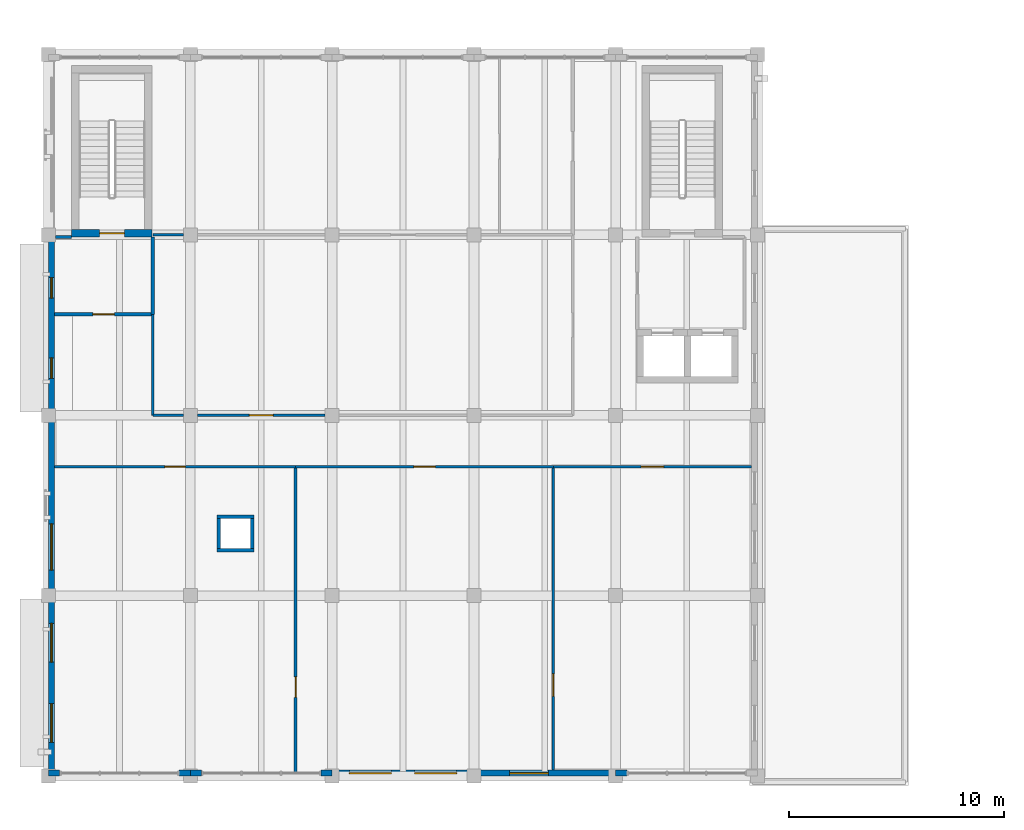
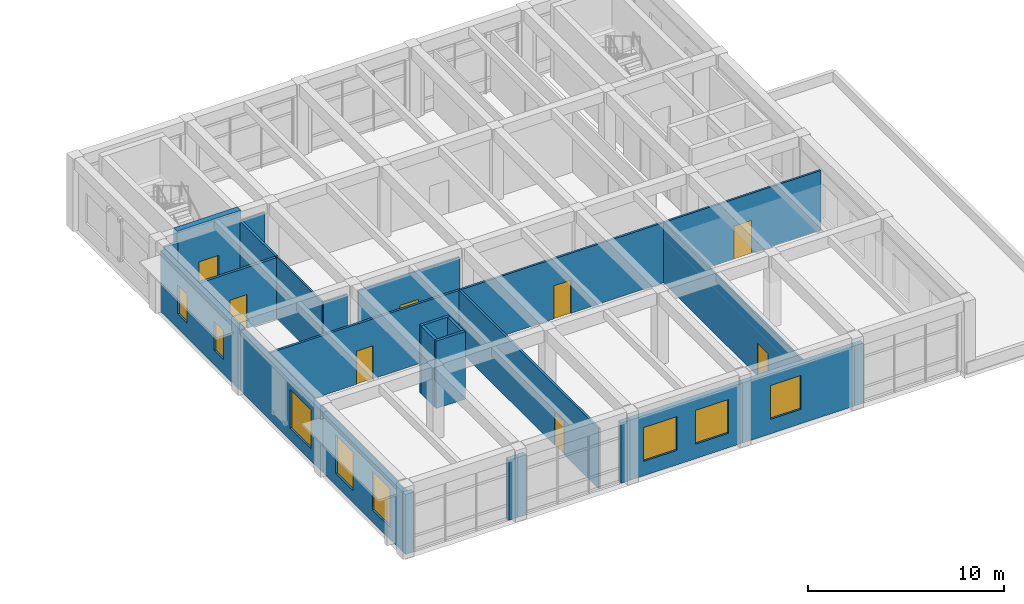
# One storey, part 26 of 50: 27 walls, 8 doors, 8 windows, 16 openings.
"""IFC4 building model written with IfcOpenShell, lengths in metres."""

from ifc_helpers import new_model, si_unit, direction, frame, frame_2d, origin, place, context, subcontext, project, spatial, rectangle, extrude, material, layer, layer_set, type_object, element, fill, save


model = new_model("IFC4")

# Units and contexts
model_context = context("Model", 3, precision=1e-05, world=origin(), true_north=direction((0.0, 1.0)))
body_context = subcontext(model_context, "Body", "Model", "MODEL_VIEW")
ifc_project = project(units=[si_unit("LENGTHUNIT", "METRE"), si_unit("AREAUNIT", "SQUARE_METRE"), si_unit("VOLUMEUNIT", "CUBIC_METRE"), si_unit("PLANEANGLEUNIT", "RADIAN"), si_unit("MASSUNIT", "GRAM", prefix="KILO")], contexts=[model_context])

# Site, building, storey
site_placement = place(None, origin())
site = spatial("IfcSite", under=ifc_project, at=site_placement, CompositionType="ELEMENT")
building_placement = place(site_placement, origin())
building = spatial("IfcBuilding", under=site, at=building_placement, Name="Kolvaren Faculty of Natural Sciences", CompositionType="ELEMENT")
storey_placement = place(building_placement, frame((0.0, 0.0, 15.0)))
storey = spatial("IfcBuildingStorey", under=building, at=storey_placement, Name="L03", CompositionType="ELEMENT", Elevation=15.0)

# Wall, opening, door
ifc_material_1 = material(Name="Concrete C40/50", Category="concrete")
ifc_layer_1 = layer(ifc_material_1, 0.35009765625)
ifc_layer_set_1 = layer_set([ifc_layer_1], Name="Concrete C40/50")
wall_type_1 = type_object("IfcWallType", Name="CoreShearWall_350", PredefinedType="SHEAR", material=ifc_layer_set_1)
wall_1_placement = place(storey_placement, frame((7.875, 33.875, 0.0), z_axis=(0.0, 0.0, 1.0), x_axis=(1.0, 0.0, 0.0)))
wall_1 = element("IfcWall", 1, at=wall_1_placement, inside=storey, type_object=wall_type_1, Name="L03 CORE-C8 stair shear wall S", PredefinedType="SHEAR", context=body_context, shape_type="SweptSolid", body=[
    extrude(rectangle(XDim=3.75, YDim=0.35009765625, at=frame_2d((1.875, 0.0))), origin(), (0.0, 0.0, 1.0), 4.5),
])
opening_1_placement = place(wall_1_placement, frame((1.300048828125, 0.0, 0.0)))
opening_1 = element("IfcOpeningElement", 2, at=opening_1_placement, cuts=wall_1, Name="Opening FD90", PredefinedType="OPENING", context=body_context, shape_type="SweptSolid", body=[
    extrude(rectangle(XDim=1.14990234375, YDim=2.14990234375, at=frame_2d((0.574951171875, 1.074951171875))), frame((0.0, 0.18505859375, 0.0), z_axis=(0.0, -1.0, 0.0), x_axis=(1.0, 0.0, 0.0)), (0.0, 0.0, 1.0), 0.3701171875),
])
ifc_material_2 = material(Name="Fire-rated solid-core hardwood door leaf in steel frame", Category="steel")
door_type_1 = type_object("IfcDoorType", Name="StairCoreFireDoor_1150x2150", OperationType="NOTDEFINED", PredefinedType="DOOR", material=ifc_material_2)
door_1_placement = place(opening_1_placement, origin())
door_1 = element("IfcDoor", 3, at=door_1_placement, inside=storey, type_object=door_type_1, Name="D-ST-ST-8-L03", OperationType="SINGLE_SWING_RIGHT", OverallHeight=2.14990234375, OverallWidth=1.14990234375, PredefinedType="DOOR", context=body_context, shape_type="SweptSolid", body=[
    extrude(rectangle(XDim=1.14990234375, YDim=2.14990234375, at=frame_2d((0.574951171875, 1.074951171875))), frame((0.0, 0.02490234375, 0.0), z_axis=(0.0, -1.0, 0.0), x_axis=(1.0, 0.0, 0.0)), (0.0, 0.0, 1.0), 0.050048828125),
])
fill(opening_1, door_1)

# Wall, openings, windows
ifc_material_3 = material(Name="Precast concrete C35/45", Category="concrete")
ifc_layer_2 = layer(ifc_material_3, 0.280029296875)
ifc_layer_set_2 = layer_set([ifc_layer_2], Name="Precast concrete C35/45")
wall_type_2 = type_object("IfcWallType", Name="ExteriorPrecastWall_280", PredefinedType="STANDARD", material=ifc_layer_set_2)
wall_2_placement = place(storey_placement, frame((6.93994140625, 8.8798828125, 0.0), z_axis=(0.0, 0.0, 1.0), x_axis=(0.0, 1.0, 0.0)))
wall_2 = element("IfcWall", 4, at=wall_2_placement, inside=storey, type_object=wall_type_2, Name="L03 exterior masonry wall EW-280 (472)", PredefinedType="STANDARD", context=body_context, shape_type="SweptSolid", body=[
    extrude(rectangle(XDim=8.1201171875, YDim=0.280029296875, at=frame_2d((4.06005859375, 0.0))), origin(), (0.0, 0.0, 1.0), 3.735107421875),
])
opening_2_placement = place(wall_2_placement, frame((1.29248046875, 0.0, 0.75)))
opening_2 = element("IfcOpeningElement", 5, at=opening_2_placement, cuts=wall_2, Name="Opening WIN-21", PredefinedType="OPENING", context=body_context, shape_type="SweptSolid", body=[
    extrude(rectangle(XDim=1.800048828125, YDim=2.39990234375, at=frame_2d((0.89990234375, 1.199951171875))), frame((0.0, 0.14990234375, 0.0), z_axis=(0.0, -1.0, 0.0), x_axis=(1.0, 0.0, 0.0)), (0.0, 0.0, 1.0), 0.300048828125),
])
opening_3_placement = place(wall_2_placement, frame((5.027587890625, 0.0, 0.75)))
opening_3 = element("IfcOpeningElement", 6, at=opening_3_placement, cuts=wall_2, Name="Opening WIN-21", PredefinedType="OPENING", context=body_context, shape_type="SweptSolid", body=[
    extrude(rectangle(XDim=1.800048828125, YDim=2.39990234375, at=frame_2d((0.89990234375, 1.199951171875))), frame((0.0, 0.14990234375, 0.0), z_axis=(0.0, -1.0, 0.0), x_axis=(1.0, 0.0, 0.0)), (0.0, 0.0, 1.0), 0.300048828125),
])
ifc_material_4 = material(Name="Double low-E solar control insulated glazing", Category="glass")
window_type_1 = type_object("IfcWindowType", Name="AluWindow_WIN21_1800x2400", PartitioningType="SINGLE_PANEL", PredefinedType="WINDOW", material=ifc_material_4)
window_1_placement = place(opening_2_placement, origin())
window_1 = element("IfcWindow", 7, at=window_1_placement, inside=storey, type_object=window_type_1, Name="WIN-L03-0300", OverallHeight=2.39990234375, OverallWidth=1.800048828125, PartitioningType="SINGLE_PANEL", PredefinedType="WINDOW", context=body_context, shape_type="SweptSolid", body=[
    extrude(rectangle(XDim=1.800048828125, YDim=2.39990234375, at=frame_2d((0.89990234375, 1.199951171875))), frame((0.0, 0.030029296875, 0.0), z_axis=(0.0, -1.0, 0.0), x_axis=(1.0, 0.0, 0.0)), (0.0, 0.0, 1.0), 0.06005859375),
])
fill(opening_2, window_1)
window_2_placement = place(opening_3_placement, origin())
window_2 = element("IfcWindow", 8, at=window_2_placement, inside=storey, type_object=window_type_1, Name="WIN-L03-0301", OverallHeight=2.39990234375, OverallWidth=1.800048828125, PartitioningType="SINGLE_PANEL", PredefinedType="WINDOW", context=body_context, shape_type="SweptSolid", body=[
    extrude(rectangle(XDim=1.800048828125, YDim=2.39990234375, at=frame_2d((0.89990234375, 1.199951171875))), frame((0.0, 0.030029296875, 0.0), z_axis=(0.0, -1.0, 0.0), x_axis=(1.0, 0.0, 0.0)), (0.0, 0.0, 1.0), 0.06005859375),
])
fill(opening_3, window_2)

# Wall, opening, window
wall_3_placement = place(storey_placement, frame((6.93994140625, 17.0, 0.0), z_axis=(0.0, 0.0, 1.0), x_axis=(0.0, 1.0, 0.0)))
wall_3 = element("IfcWall", 9, at=wall_3_placement, inside=storey, type_object=wall_type_2, Name="L03 exterior masonry wall EW-280 (473)", PredefinedType="STANDARD", context=body_context, shape_type="SweptSolid", body=[
    extrude(rectangle(XDim=8.39990234375, YDim=0.280029296875, at=frame_2d((4.199951171875, 0.0))), origin(), (0.0, 0.0, 1.0), 3.735107421875),
])
opening_4_placement = place(wall_3_placement, frame((1.193115234375, 0.0, 0.75)))
opening_4 = element("IfcOpeningElement", 10, at=opening_4_placement, cuts=wall_3, Name="Opening WIN-22", PredefinedType="OPENING", context=body_context, shape_type="SweptSolid", body=[
    extrude(rectangle(XDim=2.14990234375, YDim=2.39990234375, at=frame_2d((1.074951171875, 1.199951171875))), frame((0.0, 0.14990234375, 0.0), z_axis=(0.0, -1.0, 0.0), x_axis=(1.0, 0.0, 0.0)), (0.0, 0.0, 1.0), 0.300048828125),
])
window_type_2 = type_object("IfcWindowType", Name="AluWindow_WIN22_2150x2400", PartitioningType="SINGLE_PANEL", PredefinedType="WINDOW", material=ifc_material_4)
window_3_placement = place(opening_4_placement, origin())
window_3 = element("IfcWindow", 11, at=window_3_placement, inside=storey, type_object=window_type_2, Name="WIN-L03-0302", OverallHeight=2.39990234375, OverallWidth=2.14990234375, PartitioningType="SINGLE_PANEL", PredefinedType="WINDOW", context=body_context, shape_type="SweptSolid", body=[
    extrude(rectangle(XDim=2.14990234375, YDim=2.39990234375, at=frame_2d((1.074951171875, 1.199951171875))), frame((0.0, 0.030029296875, 0.0), z_axis=(0.0, -1.0, 0.0), x_axis=(1.0, 0.0, 0.0)), (0.0, 0.0, 1.0), 0.06005859375),
])
fill(opening_4, window_3)

# Wall, openings, windows
wall_4_placement = place(storey_placement, frame((6.93994140625, 25.39990234375, 0.0), z_axis=(0.0, 0.0, 1.0), x_axis=(0.0, 1.0, 0.0)))
wall_4 = element("IfcWall", 12, at=wall_4_placement, inside=storey, type_object=wall_type_2, Name="L03 exterior masonry wall EW-280 (474)", PredefinedType="STANDARD", context=body_context, shape_type="SweptSolid", body=[
    extrude(rectangle(XDim=8.1201171875, YDim=0.280029296875, at=frame_2d((4.06005859375, 0.0))), origin(), (0.0, 0.0, 1.0), 3.784912109375),
])
opening_5_placement = place(wall_4_placement, frame((1.71728515625, 0.0, 0.89990234375)))
opening_5 = element("IfcOpeningElement", 13, at=opening_5_placement, cuts=wall_4, Name="Opening WIN-23", PredefinedType="OPENING", context=body_context, shape_type="SweptSolid", body=[
    extrude(rectangle(XDim=0.949951171875, YDim=1.800048828125, at=frame_2d((0.47509765625, 0.89990234375))), frame((0.0, 0.14990234375, 0.0), z_axis=(0.0, -1.0, 0.0), x_axis=(1.0, 0.0, 0.0)), (0.0, 0.0, 1.0), 0.300048828125),
])
opening_6_placement = place(wall_4_placement, frame((5.45263671875, 0.0, 0.89990234375)))
opening_6 = element("IfcOpeningElement", 14, at=opening_6_placement, cuts=wall_4, Name="Opening WIN-23", PredefinedType="OPENING", context=body_context, shape_type="SweptSolid", body=[
    extrude(rectangle(XDim=0.949951171875, YDim=1.800048828125, at=frame_2d((0.47509765625, 0.89990234375))), frame((0.0, 0.14990234375, 0.0), z_axis=(0.0, -1.0, 0.0), x_axis=(1.0, 0.0, 0.0)), (0.0, 0.0, 1.0), 0.300048828125),
])
window_type_3 = type_object("IfcWindowType", Name="AluWindow_WIN23_950x1800", PartitioningType="SINGLE_PANEL", PredefinedType="WINDOW", material=ifc_material_4)
window_4_placement = place(opening_5_placement, origin())
window_4 = element("IfcWindow", 15, at=window_4_placement, inside=storey, type_object=window_type_3, Name="WIN-L03-0303", OverallHeight=1.800048828125, OverallWidth=0.949951171875, PartitioningType="SINGLE_PANEL", PredefinedType="WINDOW", context=body_context, shape_type="SweptSolid", body=[
    extrude(rectangle(XDim=0.949951171875, YDim=1.800048828125, at=frame_2d((0.47509765625, 0.89990234375))), frame((0.0, 0.030029296875, 0.0), z_axis=(0.0, -1.0, 0.0), x_axis=(1.0, 0.0, 0.0)), (0.0, 0.0, 1.0), 0.06005859375),
])
fill(opening_5, window_4)
window_5_placement = place(opening_6_placement, origin())
window_5 = element("IfcWindow", 16, at=window_5_placement, inside=storey, type_object=window_type_3, Name="WIN-L03-0304", OverallHeight=1.800048828125, OverallWidth=0.949951171875, PartitioningType="SINGLE_PANEL", PredefinedType="WINDOW", context=body_context, shape_type="SweptSolid", body=[
    extrude(rectangle(XDim=0.949951171875, YDim=1.800048828125, at=frame_2d((0.47509765625, 0.89990234375))), frame((0.0, 0.030029296875, 0.0), z_axis=(0.0, -1.0, 0.0), x_axis=(1.0, 0.0, 0.0)), (0.0, 0.0, 1.0), 0.06005859375),
])
fill(opening_6, window_5)

# Wall
wall_5_placement = place(storey_placement, frame((33.719970703125, 8.739990234375, 0.0), z_axis=(0.0, 0.0, 1.0), x_axis=(-1.0, 0.0, 0.0)))
element("IfcWall", 17, at=wall_5_placement, inside=storey, type_object=wall_type_2, Name="L03 curtain-wall pier stub 491", PredefinedType="STANDARD", context=body_context, shape_type="SweptSolid", body=[
    extrude(rectangle(XDim=0.52001953125, YDim=0.280029296875, at=frame_2d((0.260009765625, 0.0))), origin(), (0.0, 0.0, 1.0), 3.735107421875),
])

# Wall, opening, window
wall_6_placement = place(storey_placement, frame((33.199951171875, 8.739990234375, 0.0), z_axis=(0.0, 0.0, 1.0), x_axis=(-1.0, 0.0, 0.0)))
wall_6 = element("IfcWall", 18, at=wall_6_placement, inside=storey, type_object=wall_type_2, Name="L03 exterior masonry wall EW-280 (492)", PredefinedType="STANDARD", context=body_context, shape_type="SweptSolid", body=[
    extrude(rectangle(XDim=6.599853515625, YDim=0.280029296875, at=frame_2d((3.2998046875, 0.0))), origin(), (0.0, 0.0, 1.0), 3.735107421875),
])
opening_7_placement = place(wall_6_placement, frame((3.139892578125, 0.0, 0.89990234375)))
opening_7 = element("IfcOpeningElement", 19, at=opening_7_placement, cuts=wall_6, Name="Opening WIN-05", PredefinedType="OPENING", context=body_context, shape_type="SweptSolid", body=[
    extrude(rectangle(XDim=1.800048828125, YDim=2.10009765625, at=frame_2d((0.89990234375, 1.050048828125))), frame((0.0, 0.14990234375, 0.0), z_axis=(0.0, -1.0, 0.0), x_axis=(1.0, 0.0, 0.0)), (0.0, 0.0, 1.0), 0.300048828125),
])
window_type_4 = type_object("IfcWindowType", Name="AluWindow_WIN05_1800x2100", PartitioningType="SINGLE_PANEL", PredefinedType="WINDOW", material=ifc_material_4)
window_6_placement = place(opening_7_placement, origin())
window_6 = element("IfcWindow", 20, at=window_6_placement, inside=storey, type_object=window_type_4, Name="WIN-L03-0315", OverallHeight=2.10009765625, OverallWidth=1.800048828125, PartitioningType="SINGLE_PANEL", PredefinedType="WINDOW", context=body_context, shape_type="SweptSolid", body=[
    extrude(rectangle(XDim=1.800048828125, YDim=2.10009765625, at=frame_2d((0.89990234375, 1.050048828125))), frame((0.0, 0.030029296875, 0.0), z_axis=(0.0, -1.0, 0.0), x_axis=(1.0, 0.0, 0.0)), (0.0, 0.0, 1.0), 0.06005859375),
])
fill(opening_7, window_6)

# Wall, openings, windows
wall_7_placement = place(storey_placement, frame((26.60009765625, 8.739990234375, 0.0), z_axis=(0.0, 0.0, 1.0), x_axis=(-1.0, 0.0, 0.0)))
wall_7 = element("IfcWall", 21, at=wall_7_placement, inside=storey, type_object=wall_type_2, Name="L03 exterior masonry wall EW-280 (493)", PredefinedType="STANDARD", context=body_context, shape_type="SweptSolid", body=[
    extrude(rectangle(XDim=6.60009765625, YDim=0.280029296875, at=frame_2d((3.300048828125, 0.0))), origin(), (0.0, 0.0, 1.0), 3.735107421875),
])
opening_8_placement = place(wall_7_placement, frame((0.806884765625, 0.0, 0.89990234375)))
opening_8 = element("IfcOpeningElement", 22, at=opening_8_placement, cuts=wall_7, Name="Opening WIN-06", PredefinedType="OPENING", context=body_context, shape_type="SweptSolid", body=[
    extrude(rectangle(XDim=1.949951171875, YDim=2.10009765625, at=frame_2d((0.97509765625, 1.050048828125))), frame((0.0, 0.14990234375, 0.0), z_axis=(0.0, -1.0, 0.0), x_axis=(1.0, 0.0, 0.0)), (0.0, 0.0, 1.0), 0.300048828125),
])
opening_9_placement = place(wall_7_placement, frame((3.843017578125, 0.0, 0.89990234375)))
opening_9 = element("IfcOpeningElement", 23, at=opening_9_placement, cuts=wall_7, Name="Opening WIN-06", PredefinedType="OPENING", context=body_context, shape_type="SweptSolid", body=[
    extrude(rectangle(XDim=1.949951171875, YDim=2.10009765625, at=frame_2d((0.97509765625, 1.050048828125))), frame((0.0, 0.14990234375, 0.0), z_axis=(0.0, -1.0, 0.0), x_axis=(1.0, 0.0, 0.0)), (0.0, 0.0, 1.0), 0.300048828125),
])
window_type_5 = type_object("IfcWindowType", Name="AluWindow_WIN06_1950x2100", PartitioningType="SINGLE_PANEL", PredefinedType="WINDOW", material=ifc_material_4)
window_7_placement = place(opening_8_placement, origin())
window_7 = element("IfcWindow", 24, at=window_7_placement, inside=storey, type_object=window_type_5, Name="WIN-L03-0316", OverallHeight=2.10009765625, OverallWidth=1.949951171875, PartitioningType="SINGLE_PANEL", PredefinedType="WINDOW", context=body_context, shape_type="SweptSolid", body=[
    extrude(rectangle(XDim=1.949951171875, YDim=2.10009765625, at=frame_2d((0.97509765625, 1.050048828125))), frame((0.0, 0.030029296875, 0.0), z_axis=(0.0, -1.0, 0.0), x_axis=(1.0, 0.0, 0.0)), (0.0, 0.0, 1.0), 0.06005859375),
])
fill(opening_8, window_7)
window_8_placement = place(opening_9_placement, origin())
window_8 = element("IfcWindow", 25, at=window_8_placement, inside=storey, type_object=window_type_5, Name="WIN-L03-0317", OverallHeight=2.10009765625, OverallWidth=1.949951171875, PartitioningType="SINGLE_PANEL", PredefinedType="WINDOW", context=body_context, shape_type="SweptSolid", body=[
    extrude(rectangle(XDim=1.949951171875, YDim=2.10009765625, at=frame_2d((0.97509765625, 1.050048828125))), frame((0.0, 0.030029296875, 0.0), z_axis=(0.0, -1.0, 0.0), x_axis=(1.0, 0.0, 0.0)), (0.0, 0.0, 1.0), 0.06005859375),
])
fill(opening_9, window_8)

# Walls
for number, where, z_axis, x_axis, name in (
    (26, (20.0, 8.739990234375, 0.0), (0.0, 0.0, 1.0), (-1.0, 0.0, 0.0), "L03 curtain-wall pier stub 494"),
    (27, (13.919921875, 8.739990234375, 0.0), (0.0, 0.0, 1.0), (-1.0, 0.0, 0.0), "L03 curtain-wall pier stub 495"),
    (28, (13.39990234375, 8.739990234375, 0.0), (0.0, 0.0, 1.0), (-1.0, 0.0, 0.0), "L03 curtain-wall pier stub 496"),
    (29, (7.320068359375, 8.739990234375, 0.0), (0.0, 0.0, 1.0), (-1.0, 0.0, 0.0), "L03 curtain-wall pier stub 497"),
):
    element("IfcWall", number, at=place(storey_placement, frame(where, z_axis=z_axis, x_axis=x_axis)), inside=storey, type_object=wall_type_2, Name=name, PredefinedType="STANDARD", context=body_context, shape_type="SweptSolid", body=[
        extrude(rectangle(XDim=0.52001953125, YDim=0.280029296875, at=frame_2d((0.260009765625, 0.0))), origin(), (0.0, 0.0, 1.0), 3.735107421875),
    ])

# Wall, opening, door
ifc_material_5 = material(Name="Acoustic mineral-wool insulated gypsum partition")
ifc_layer_3 = layer(ifc_material_5, 0.1298828125)
ifc_layer_set_3 = layer_set([ifc_layer_3], Name="Acoustic mineral-wool insulated gypsum partition")
wall_type_3 = type_object("IfcWallType", Name="OfficePartitionWall_130", PredefinedType="PARTITIONING", material=ifc_layer_set_3)
wall_8_placement = place(storey_placement, frame((7.08203125, 23.0, 0.0), z_axis=(0.0, 0.0, 1.0), x_axis=(1.0, 0.0, 0.0)))
wall_8 = element("IfcWall", 30, at=wall_8_placement, inside=storey, type_object=wall_type_3, Name="L03 interior partition PW-130", PredefinedType="PARTITIONING", context=body_context, shape_type="SweptSolid", body=[
    extrude(rectangle(XDim=11.218017578125, YDim=0.1298828125, at=frame_2d((5.60888671875, 0.0))), origin(), (0.0, 0.0, 1.0), 3.735107421875),
])
opening_10_placement = place(wall_8_placement, frame((5.134033203125, 0.0, 0.0)))
opening_10 = element("IfcOpeningElement", 31, at=opening_10_placement, cuts=wall_8, Name="Opening ID-07", PredefinedType="OPENING", context=body_context, shape_type="SweptSolid", body=[
    extrude(rectangle(XDim=0.949951171875, YDim=2.06005859375, at=frame_2d((0.47509765625, 1.030029296875))), frame((0.0, 0.074951171875, 0.0), z_axis=(0.0, -1.0, 0.0), x_axis=(1.0, 0.0, 0.0)), (0.0, 0.0, 1.0), 0.14990234375),
])
ifc_material_6 = material(Name="Solid-core hardwood veneer door leaf in steel frame", Category="steel")
door_type_2 = type_object("IfcDoorType", Name="InteriorRoomDoor_950x2060", OperationType="NOTDEFINED", PredefinedType="DOOR", material=ifc_material_6)
door_2_placement = place(opening_10_placement, origin())
door_2 = element("IfcDoor", 32, at=door_2_placement, inside=storey, type_object=door_type_2, Name="D-L03-0235", OperationType="SINGLE_SWING_RIGHT", OverallHeight=2.06005859375, OverallWidth=0.949951171875, PredefinedType="DOOR", context=body_context, shape_type="SweptSolid", body=[
    extrude(rectangle(XDim=0.949951171875, YDim=2.06005859375, at=frame_2d((0.47509765625, 1.030029296875))), frame((0.0, 0.02490234375, 0.0), z_axis=(0.0, -1.0, 0.0), x_axis=(1.0, 0.0, 0.0)), (0.0, 0.0, 1.0), 0.050048828125),
])
fill(opening_10, door_2)

wall_9_placement = place(storey_placement, frame((18.300048828125, 23.0, 0.0), z_axis=(0.0, 0.0, 1.0), x_axis=(0.0, -1.0, 0.0)))
wall_9 = element("IfcWall", 33, at=wall_9_placement, inside=storey, type_object=wall_type_3, Name="L03 interior partition PW-130", PredefinedType="PARTITIONING", context=body_context, shape_type="SweptSolid", body=[
    extrude(rectangle(XDim=14.239990234375, YDim=0.1298828125, at=frame_2d((7.1201171875, 0.0))), origin(), (0.0, 0.0, 1.0), 3.735107421875),
])
opening_11_placement = place(wall_9_placement, frame((9.77783203125, 0.0, 0.0)))
opening_11 = element("IfcOpeningElement", 34, at=opening_11_placement, cuts=wall_9, Name="Opening ID-07", PredefinedType="OPENING", context=body_context, shape_type="SweptSolid", body=[
    extrude(rectangle(XDim=0.949951171875, YDim=2.06005859375, at=frame_2d((0.47509765625, 1.030029296875))), frame((0.0, 0.074951171875, 0.0), z_axis=(0.0, -1.0, 0.0), x_axis=(1.0, 0.0, 0.0)), (0.0, 0.0, 1.0), 0.14990234375),
])
door_3_placement = place(opening_11_placement, origin())
door_3 = element("IfcDoor", 35, at=door_3_placement, inside=storey, type_object=door_type_2, Name="D-L03-0236", OperationType="SINGLE_SWING_LEFT", OverallHeight=2.06005859375, OverallWidth=0.949951171875, PredefinedType="DOOR", context=body_context, shape_type="SweptSolid", body=[
    extrude(rectangle(XDim=0.949951171875, YDim=2.06005859375, at=frame_2d((0.47509765625, 1.030029296875))), frame((0.0, 0.02490234375, 0.0), z_axis=(0.0, -1.0, 0.0), x_axis=(1.0, 0.0, 0.0)), (0.0, 0.0, 1.0), 0.050048828125),
])
fill(opening_11, door_3)

ifc_material_7 = material(Name="Double fire-rated gypsum board on 100 mm steel stud", Category="steel")
ifc_layer_4 = layer(ifc_material_7, 0.14990234375)
ifc_layer_set_4 = layer_set([ifc_layer_4], Name="Double fire-rated gypsum board on 100 mm steel stud")
wall_type_4 = type_object("IfcWallType", Name="RatedCorridorWall_150", PredefinedType="PARTITIONING", material=ifc_layer_set_4)
wall_10_placement = place(storey_placement, frame((11.64990234375, 30.10009765625, 0.0), z_axis=(0.0, 0.0, 1.0), x_axis=(-1.0, 0.0, 0.0)))
wall_10 = element("IfcWall", 36, at=wall_10_placement, inside=storey, type_object=wall_type_4, Name="L03 interior partition LW-150", PredefinedType="PARTITIONING", context=body_context, shape_type="SweptSolid", body=[
    extrude(rectangle(XDim=4.56787109375, YDim=0.14990234375, at=frame_2d((2.283935546875, 0.0))), origin(), (0.0, 0.0, 1.0), 3.784912109375),
])
opening_12_placement = place(wall_10_placement, frame((1.783935546875, 0.0, 0.0)))
opening_12 = element("IfcOpeningElement", 37, at=opening_12_placement, cuts=wall_10, Name="Opening FD30", PredefinedType="OPENING", context=body_context, shape_type="SweptSolid", body=[
    extrude(rectangle(XDim=1.0, YDim=2.10009765625, at=frame_2d((0.5, 1.050048828125))), frame((0.0, 0.0849609375, 0.0), z_axis=(0.0, -1.0, 0.0), x_axis=(1.0, 0.0, 0.0)), (0.0, 0.0, 1.0), 0.169921875),
])
door_type_3 = type_object("IfcDoorType", Name="CorridorFireDoor_1000x2100", OperationType="NOTDEFINED", PredefinedType="DOOR", material=ifc_material_2)
door_4_placement = place(opening_12_placement, origin())
door_4 = element("IfcDoor", 38, at=door_4_placement, inside=storey, type_object=door_type_3, Name="D-L03-0227", OperationType="SINGLE_SWING_RIGHT", OverallHeight=2.10009765625, OverallWidth=1.0, PredefinedType="DOOR", context=body_context, shape_type="SweptSolid", body=[
    extrude(rectangle(XDim=1.0, YDim=2.10009765625, at=frame_2d((0.5, 1.050048828125))), frame((0.0, 0.02490234375, 0.0), z_axis=(0.0, -1.0, 0.0), x_axis=(1.0, 0.0, 0.0)), (0.0, 0.0, 1.0), 0.050048828125),
])
fill(opening_12, door_4)

# Walls
wall_11_placement = place(storey_placement, frame((7.125, 33.699951171875, 0.0), z_axis=(0.0, 0.0, 1.0), x_axis=(1.0, 0.0, 0.0)))
element("IfcWall", 39, at=wall_11_placement, inside=storey, type_object=wall_type_4, Name="L03 interior partition LW-150", PredefinedType="PARTITIONING", context=body_context, shape_type="SweptSolid", body=[
    extrude(rectangle(XDim=0.75, YDim=0.14990234375, at=frame_2d((0.375, 0.0))), origin(), (0.0, 0.0, 1.0), 3.8349609375),
])
wall_12_placement = place(storey_placement, frame((11.64990234375, 33.699951171875, 0.0), z_axis=(0.0, 0.0, 1.0), x_axis=(0.0, -1.0, 0.0)))
element("IfcWall", 40, at=wall_12_placement, inside=storey, type_object=wall_type_4, Name="L03 interior partition LW-150", PredefinedType="PARTITIONING", context=body_context, shape_type="SweptSolid", body=[
    extrude(rectangle(XDim=3.599853515625, YDim=0.14990234375, at=frame_2d((1.7998046875, 0.0))), origin(), (0.0, 0.0, 1.0), 3.8349609375),
])
ifc_layer_5 = layer(ifc_material_7, 0.159912109375)
ifc_layer_set_5 = layer_set([ifc_layer_5], Name="Double fire-rated gypsum board on 100 mm steel stud")
wall_type_5 = type_object("IfcWallType", Name="RiserShaftWall_160", PredefinedType="PARTITIONING", material=ifc_layer_set_5)
for number, where, z_axis, x_axis, name in (
    (41, (14.639892578125, 19.1201171875, 0.0), (0.0, 0.0, 1.0), (1.0, 0.0, 0.0), "L03 service riser shaft wall S"),
    (42, (14.639892578125, 20.679931640625, 0.0), (0.0, 0.0, 1.0), (1.0, 0.0, 0.0), "L03 service riser shaft wall N"),
):
    element("IfcWall", number, at=place(storey_placement, frame(where, z_axis=z_axis, x_axis=x_axis)), inside=storey, type_object=wall_type_5, Name=name, PredefinedType="PARTITIONING", context=body_context, shape_type="SweptSolid", body=[
        extrude(rectangle(XDim=1.72021484375, YDim=0.159912109375, at=frame_2d((0.860107421875, 0.0))), origin(), (0.0, 0.0, 1.0), 4.195068359375),
    ])
for number, where, z_axis, x_axis, name in (
    (43, (14.719970703125, 19.199951171875, 0.0), (0.0, 0.0, 1.0), (0.0, 1.0, 0.0), "L03 service riser shaft wall W"),
    (44, (16.280029296875, 19.199951171875, 0.0), (0.0, 0.0, 1.0), (0.0, 1.0, 0.0), "L03 service riser shaft wall E"),
):
    element("IfcWall", number, at=place(storey_placement, frame(where, z_axis=z_axis, x_axis=x_axis)), inside=storey, type_object=wall_type_5, Name=name, PredefinedType="PARTITIONING", context=body_context, shape_type="SweptSolid", body=[
        extrude(rectangle(XDim=1.400146484375, YDim=0.159912109375, at=frame_2d((0.7001953125, 0.0))), origin(), (0.0, 0.0, 1.0), 4.195068359375),
    ])

# Wall, opening, door
ifc_layer_6 = layer(ifc_material_5, 0.114990234375)
ifc_layer_set_6 = layer_set([ifc_layer_6], Name="Acoustic mineral-wool insulated gypsum partition")
wall_type_6 = type_object("IfcWallType", Name="StorePartitionWall_115", PredefinedType="PARTITIONING", material=ifc_layer_set_6)
wall_13_placement = place(storey_placement, frame((30.300048828125, 23.0, 0.0), z_axis=(0.0, 0.0, 1.0), x_axis=(1.0, 0.0, 0.0)))
wall_13 = element("IfcWall", 45, at=wall_13_placement, inside=storey, type_object=wall_type_6, Name="L03 interior partition PW-115", PredefinedType="PARTITIONING", context=body_context, shape_type="SweptSolid", body=[
    extrude(rectangle(XDim=9.218017578125, YDim=0.114990234375, at=frame_2d((4.60888671875, 0.0))), origin(), (0.0, 0.0, 1.0), 3.735107421875),
])
opening_13_placement = place(wall_13_placement, frame((4.083984375, 0.0, 0.0)))
opening_13 = element("IfcOpeningElement", 46, at=opening_13_placement, cuts=wall_13, Name="Opening ID-09", PredefinedType="OPENING", context=body_context, shape_type="SweptSolid", body=[
    extrude(rectangle(XDim=1.050048828125, YDim=2.06005859375, at=frame_2d((0.52490234375, 1.030029296875))), frame((0.0, 0.0673828125, 0.0), z_axis=(0.0, -1.0, 0.0), x_axis=(1.0, 0.0, 0.0)), (0.0, 0.0, 1.0), 0.135009765625),
])
door_type_4 = type_object("IfcDoorType", Name="InteriorRoomDoor_1050x2060", OperationType="NOTDEFINED", PredefinedType="DOOR", material=ifc_material_6)
door_5_placement = place(opening_13_placement, origin())
door_5 = element("IfcDoor", 47, at=door_5_placement, inside=storey, type_object=door_type_4, Name="D-L03-0238", OperationType="SINGLE_SWING_LEFT", OverallHeight=2.06005859375, OverallWidth=1.050048828125, PredefinedType="DOOR", context=body_context, shape_type="SweptSolid", body=[
    extrude(rectangle(XDim=1.050048828125, YDim=2.06005859375, at=frame_2d((0.52490234375, 1.030029296875))), frame((0.0, 0.02490234375, 0.0), z_axis=(0.0, -1.0, 0.0), x_axis=(1.0, 0.0, 0.0)), (0.0, 0.0, 1.0), 0.050048828125),
])
fill(opening_13, door_5)

ifc_layer_7 = layer(ifc_material_5, 0.1201171875)
ifc_layer_set_7 = layer_set([ifc_layer_7], Name="Acoustic mineral-wool insulated gypsum partition")
wall_type_7 = type_object("IfcWallType", Name="StudioPartitionWall_120", PredefinedType="PARTITIONING", material=ifc_layer_set_7)
wall_14_placement = place(storey_placement, frame((30.300048828125, 23.0, 0.0), z_axis=(0.0, 0.0, 1.0), x_axis=(0.0, -1.0, 0.0)))
wall_14 = element("IfcWall", 48, at=wall_14_placement, inside=storey, type_object=wall_type_7, Name="L03 interior partition PW-120", PredefinedType="PARTITIONING", context=body_context, shape_type="SweptSolid", body=[
    extrude(rectangle(XDim=14.117919921875, YDim=0.1201171875, at=frame_2d((7.05908203125, 0.0))), origin(), (0.0, 0.0, 1.0), 3.735107421875),
])
opening_14_placement = place(wall_14_placement, frame((9.639892578125, 0.0, 0.0)))
opening_14 = element("IfcOpeningElement", 49, at=opening_14_placement, cuts=wall_14, Name="Opening ID-09", PredefinedType="OPENING", context=body_context, shape_type="SweptSolid", body=[
    extrude(rectangle(XDim=1.050048828125, YDim=2.06005859375, at=frame_2d((0.52490234375, 1.030029296875))), frame((0.0, 0.070068359375, 0.0), z_axis=(0.0, -1.0, 0.0), x_axis=(1.0, 0.0, 0.0)), (0.0, 0.0, 1.0), 0.14013671875),
])
door_6_placement = place(opening_14_placement, origin())
door_6 = element("IfcDoor", 50, at=door_6_placement, inside=storey, type_object=door_type_4, Name="D-L03-0239", OperationType="SINGLE_SWING_RIGHT", OverallHeight=2.06005859375, OverallWidth=1.050048828125, PredefinedType="DOOR", context=body_context, shape_type="SweptSolid", body=[
    extrude(rectangle(XDim=1.050048828125, YDim=2.06005859375, at=frame_2d((0.52490234375, 1.030029296875))), frame((0.0, 0.02490234375, 0.0), z_axis=(0.0, -1.0, 0.0), x_axis=(1.0, 0.0, 0.0)), (0.0, 0.0, 1.0), 0.050048828125),
])
fill(opening_14, door_6)

wall_15_placement = place(storey_placement, frame((18.300048828125, 23.0, 0.0), z_axis=(0.0, 0.0, 1.0), x_axis=(1.0, 0.0, 0.0)))
wall_15 = element("IfcWall", 51, at=wall_15_placement, inside=storey, type_object=wall_type_7, Name="L03 interior partition PW-120", PredefinedType="PARTITIONING", context=body_context, shape_type="SweptSolid", body=[
    extrude(rectangle(XDim=12.0, YDim=0.1201171875, at=frame_2d((6.0, 0.0))), origin(), (0.0, 0.0, 1.0), 3.735107421875),
])
opening_15_placement = place(wall_15_placement, frame((5.5, 0.0, 0.0)))
opening_15 = element("IfcOpeningElement", 52, at=opening_15_placement, cuts=wall_15, Name="Opening ID-08", PredefinedType="OPENING", context=body_context, shape_type="SweptSolid", body=[
    extrude(rectangle(XDim=1.0, YDim=2.06005859375, at=frame_2d((0.5, 1.030029296875))), frame((0.0, 0.070068359375, 0.0), z_axis=(0.0, -1.0, 0.0), x_axis=(1.0, 0.0, 0.0)), (0.0, 0.0, 1.0), 0.14013671875),
])
door_type_5 = type_object("IfcDoorType", Name="InteriorRoomDoor_1000x2060", OperationType="NOTDEFINED", PredefinedType="DOOR", material=ifc_material_6)
door_7_placement = place(opening_15_placement, origin())
door_7 = element("IfcDoor", 53, at=door_7_placement, inside=storey, type_object=door_type_5, Name="D-L03-0237", OperationType="SINGLE_SWING_RIGHT", OverallHeight=2.06005859375, OverallWidth=1.0, PredefinedType="DOOR", context=body_context, shape_type="SweptSolid", body=[
    extrude(rectangle(XDim=1.0, YDim=2.06005859375, at=frame_2d((0.5, 1.030029296875))), frame((0.0, 0.02490234375, 0.0), z_axis=(0.0, -1.0, 0.0), x_axis=(1.0, 0.0, 0.0)), (0.0, 0.0, 1.0), 0.050048828125),
])
fill(opening_15, door_7)

# Wall
ifc_layer_8 = layer(ifc_material_5, 0.10498046875)
ifc_layer_set_8 = layer_set([ifc_layer_8], Name="Acoustic mineral-wool insulated gypsum partition")
wall_type_8 = type_object("IfcWallType", Name="WetRoomPartition_105", PredefinedType="PARTITIONING", material=ifc_layer_set_8)
wall_16_placement = place(storey_placement, frame((11.64990234375, 33.800048828125, 0.0), z_axis=(0.0, 0.0, 1.0), x_axis=(1.0, 0.0, 0.0)))
element("IfcWall", 54, at=wall_16_placement, inside=storey, type_object=wall_type_8, Name="L03 interior partition PW-105", PredefinedType="PARTITIONING", context=body_context, shape_type="SweptSolid", body=[
    extrude(rectangle(XDim=1.425048828125, YDim=0.10498046875, at=frame_2d((0.71240234375, 0.0))), origin(), (0.0, 0.0, 1.0), 3.8349609375),
])

# Wall, opening, door
wall_17_placement = place(storey_placement, frame((19.675048828125, 25.39990234375, 0.0), z_axis=(0.0, 0.0, 1.0), x_axis=(-1.0, 0.0, 0.0)))
wall_17 = element("IfcWall", 55, at=wall_17_placement, inside=storey, type_object=wall_type_8, Name="L03 interior partition PW-105", PredefinedType="PARTITIONING", context=body_context, shape_type="SweptSolid", body=[
    extrude(rectangle(XDim=5.949951171875, YDim=0.10498046875, at=frame_2d((2.97509765625, 0.0))), origin(), (0.0, 0.0, 1.0), 3.8349609375),
])
opening_16_placement = place(wall_17_placement, frame((2.425048828125, 0.0, 0.0)))
opening_16 = element("IfcOpeningElement", 56, at=opening_16_placement, cuts=wall_17, Name="Opening ID-10", PredefinedType="OPENING", context=body_context, shape_type="SweptSolid", body=[
    extrude(rectangle(XDim=1.10009765625, YDim=2.06005859375, at=frame_2d((0.550048828125, 1.030029296875))), frame((0.0, 0.0625, 0.0), z_axis=(0.0, -1.0, 0.0), x_axis=(1.0, 0.0, 0.0)), (0.0, 0.0, 1.0), 0.125),
])
door_type_6 = type_object("IfcDoorType", Name="InteriorRoomDoor_1100x2060", OperationType="NOTDEFINED", PredefinedType="DOOR", material=ifc_material_6)
door_8_placement = place(opening_16_placement, origin())
door_8 = element("IfcDoor", 57, at=door_8_placement, inside=storey, type_object=door_type_6, Name="D-L03-0241", OperationType="SINGLE_SWING_RIGHT", OverallHeight=2.06005859375, OverallWidth=1.10009765625, PredefinedType="DOOR", context=body_context, shape_type="SweptSolid", body=[
    extrude(rectangle(XDim=1.10009765625, YDim=2.06005859375, at=frame_2d((0.550048828125, 1.030029296875))), frame((0.0, 0.02490234375, 0.0), z_axis=(0.0, -1.0, 0.0), x_axis=(1.0, 0.0, 0.0)), (0.0, 0.0, 1.0), 0.050048828125),
])
fill(opening_16, door_8)

# Walls
wall_18_placement = place(storey_placement, frame((13.074951171875, 25.39990234375, 0.0), z_axis=(0.0, 0.0, 1.0), x_axis=(-1.0, 0.0, 0.0)))
element("IfcWall", 58, at=wall_18_placement, inside=storey, type_object=wall_type_8, Name="L03 interior partition PW-105", PredefinedType="PARTITIONING", context=body_context, shape_type="SweptSolid", body=[
    extrude(rectangle(XDim=1.425048828125, YDim=0.10498046875, at=frame_2d((0.71240234375, 0.0))), origin(), (0.0, 0.0, 1.0), 3.8349609375),
])
wall_19_placement = place(storey_placement, frame((11.64990234375, 25.39990234375, 0.0), z_axis=(0.0, 0.0, 1.0), x_axis=(0.0, 1.0, 0.0)))
element("IfcWall", 59, at=wall_19_placement, inside=storey, type_object=wall_type_8, Name="L03 interior partition PW-105", PredefinedType="PARTITIONING", context=body_context, shape_type="SweptSolid", body=[
    extrude(rectangle(XDim=4.7001953125, YDim=0.10498046875, at=frame_2d((2.35009765625, 0.0))), origin(), (0.0, 0.0, 1.0), 3.8349609375),
])

save(model, "model.ifc")
